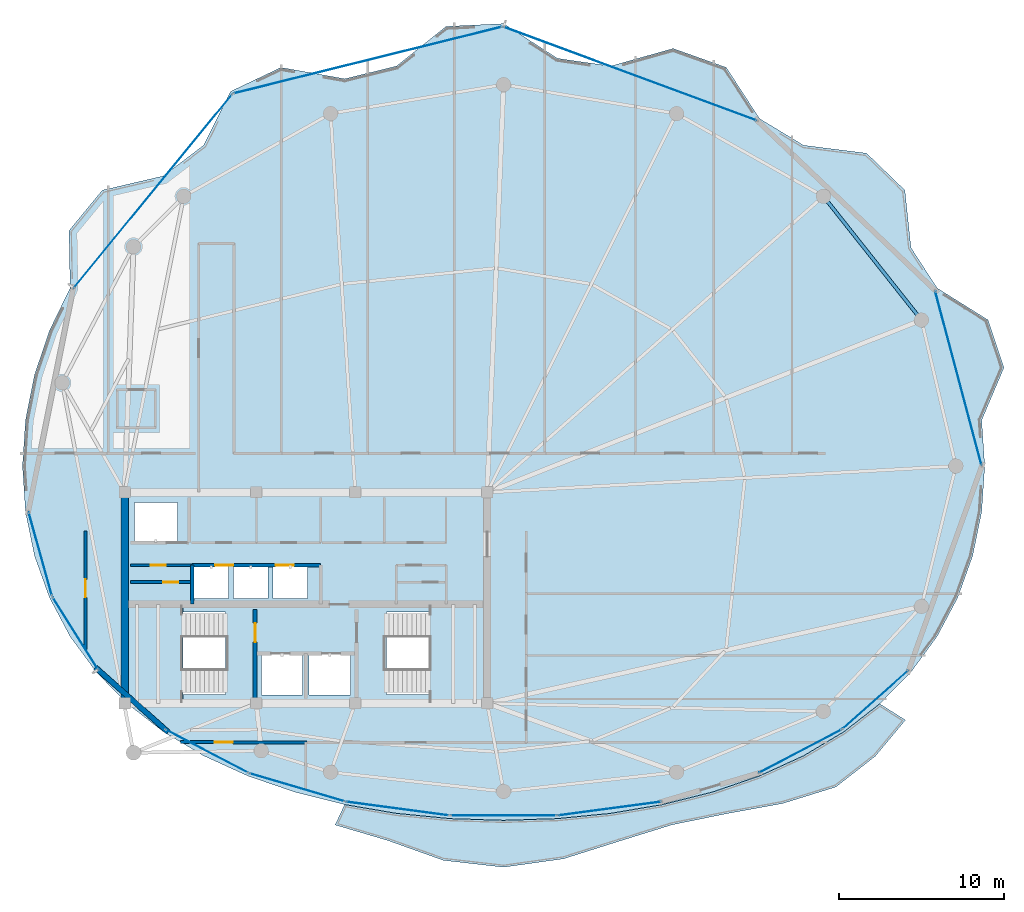
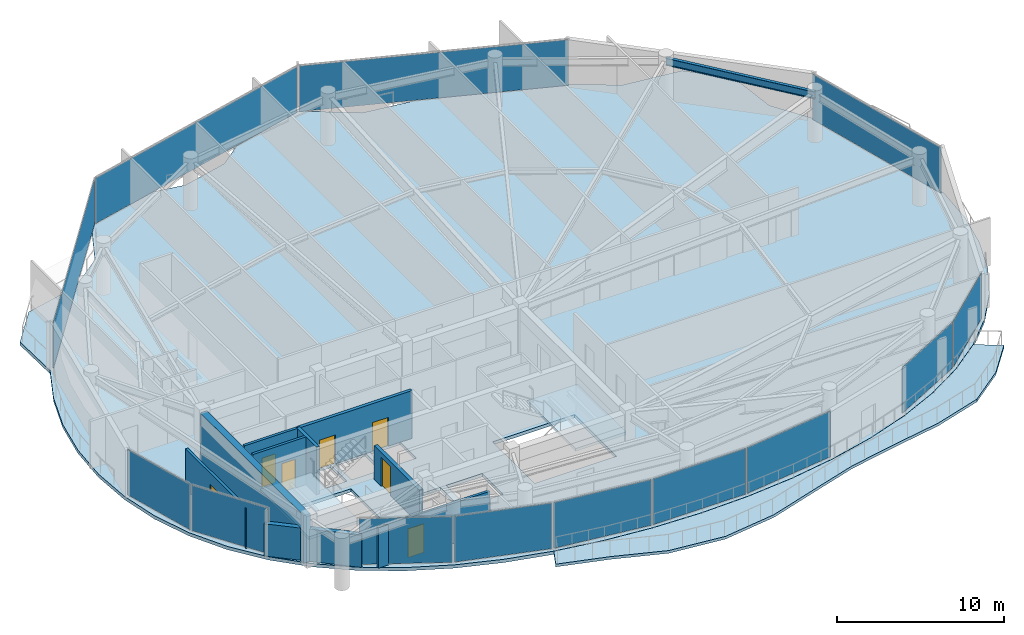
# One storey, part 23 of 29: 13 plates, 9 walls, 7 doors, 4 slabs, 1 beam, 7 openings, 15 elements without a shape of their own.
"""IFC4 building model written with IfcOpenShell, lengths in metres."""

from ifc_helpers import new_model, si_unit, direction, frame, frame_2d, origin, origin_2d, place, context, subcontext, project, spatial, polyline, rectangle, i_section, outline, extrude, material, layer, layer_set, material_profile, profile_set, type_object, element, fill, aggregate, save


model = new_model("IFC4")

# Units and contexts
model_context = context("Model", 3, precision=1e-05, world=origin(), true_north=direction((0.0, 1.0)))
body_context = subcontext(model_context, "Body", "Model", "MODEL_VIEW")
ifc_project = project(units=[si_unit("LENGTHUNIT", "METRE"), si_unit("AREAUNIT", "SQUARE_METRE"), si_unit("VOLUMEUNIT", "CUBIC_METRE"), si_unit("PLANEANGLEUNIT", "RADIAN"), si_unit("MASSUNIT", "GRAM", prefix="KILO")], contexts=[model_context])

# Site, building, storey
site_placement = place(None, origin())
site = spatial("IfcSite", under=ifc_project, at=site_placement, CompositionType="ELEMENT")
building_placement = place(site_placement, origin())
building = spatial("IfcBuilding", under=site, at=building_placement, Name="Kazevale Care Tower and Concert Hall", CompositionType="ELEMENT")
storey_placement = place(building_placement, frame((0.0, 0.0, 289.0)))
storey = spatial("IfcBuildingStorey", under=building, at=storey_placement, Name="L76", CompositionType="ELEMENT", Elevation=289.0)

# Beam
ifc_material_1 = material(Name="Steel ASTM A572 Gr 50", Category="steel")
ifc_material_profile = material_profile(ifc_material_1, i_section(OverallWidth=0.208984375, OverallDepth=0.532958984375, WebThickness=0.01025390625, FlangeThickness=0.015625, at=origin_2d()), Name="W530x92")
ifc_profile_set = profile_set([ifc_material_profile], Name="Steel ASTM A572 Gr 50")
beam_type = type_object("IfcBeamType", Name="Upper Ring Beam W530x92", PredefinedType="BEAM", material=ifc_profile_set)
beam_placement = place(storey_placement, frame((70.360107421875, 46.860107421875, 3.21337890625), z_axis=(-0.621008988522, 0.783803442308, 0.0), x_axis=(-0.783803442308, -0.621008988522, 0.0)))
element("IfcBeam", 1, at=beam_placement, inside=storey, type_object=beam_type, Name="beam:L76:ring:02", PredefinedType="BEAM", context=body_context, shape_type="SweptSolid", body=[
    extrude(i_section(OverallWidth=0.208984375, OverallDepth=0.532958984375, WebThickness=0.01025390625, FlangeThickness=0.015625, at=origin_2d()), origin(), (0.0, 0.0, 1.0), 9.58154296875),
])

# Curtain wall, plate
ifc_material_2 = material(Name="Aluminium 6063-T6 and Low-E Glass", Category="aluminium")
ifc_layer_1 = layer(ifc_material_2, 0.179931640625)
ifc_layer_set_1 = layer_set([ifc_layer_1], Name="Aluminium 6063-T6 and Low-E Glass")
curtain_wall_type_1 = type_object("IfcCurtainWallType", Name="Convex Checkerboard Finned Curtain Wall CW-2", PredefinedType="NOTDEFINED", material=ifc_layer_set_1)
curtain_wall_1_placement = place(storey_placement, origin())
curtain_wall_1 = element("IfcCurtainWall", 2, at=curtain_wall_1_placement, inside=storey, type_object=curtain_wall_type_1, Name="cw:L76:f14", PredefinedType="NOTDEFINED")
ifc_material_3 = material(Name="Low-E Laminated Glass", Category="glass")
ifc_layer_2 = layer(ifc_material_3, 0.028076171875)
ifc_layer_set_2 = layer_set([ifc_layer_2], Name="Low-E Laminated Glass")
plate_type_1 = type_object("IfcPlateType", Name="CW-2 Low-E Glazing Panel 28mm", PredefinedType="CURTAIN_PANEL", material=ifc_layer_set_2)
plate_1_placement = place(storey_placement, frame((23.717041015625, 54.681396484375, 0.074951171875), z_axis=(0.0, 0.0, 1.0), x_axis=(0.63342647463, 0.773802882676, 0.0)))
plate_1 = element("IfcPlate", 3, at=plate_1_placement, type_object=plate_type_1, Name="CW-2 panel 1.1", PredefinedType="CURTAIN_PANEL", context=body_context, shape_type="SweptSolid", body=[
    extrude(rectangle(XDim=15.134521484375, YDim=0.028076171875, at=origin_2d()), origin(), (0.0, 0.0, 1.0), 3.330078125),
])
aggregate(curtain_wall_1, [plate_1])

curtain_wall_2_placement = place(storey_placement, origin())
curtain_wall_2 = element("IfcCurtainWall", 4, at=curtain_wall_2_placement, inside=storey, type_object=curtain_wall_type_1, Name="cw:L76:f16", PredefinedType="NOTDEFINED")
plate_2_placement = place(storey_placement, frame((52.678955078125, 61.80908203125, 0.074951171875), z_axis=(0.0, 0.0, 1.0), x_axis=(0.937915548844, -0.346863695471, 0.0)))
plate_2 = element("IfcPlate", 5, at=plate_2_placement, type_object=plate_type_1, Name="CW-2 panel 1.1", PredefinedType="CURTAIN_PANEL", context=body_context, shape_type="SweptSolid", body=[
    extrude(rectangle(XDim=16.319091796875, YDim=0.028076171875, at=origin_2d()), origin(), (0.0, 0.0, 1.0), 3.330078125),
])
aggregate(curtain_wall_2, [plate_2])

ifc_layer_3 = layer(ifc_material_2, 0.179931640625)
ifc_layer_set_3 = layer_set([ifc_layer_3], Name="Aluminium 6063-T6 and Low-E Glass")
curtain_wall_type_2 = type_object("IfcCurtainWallType", Name="Waist & Upper Residential Curtain Wall CW-4", PredefinedType="NOTDEFINED", material=ifc_layer_set_3)
curtain_wall_3_placement = place(storey_placement, origin())
curtain_wall_3 = element("IfcCurtainWall", 6, at=curtain_wall_3_placement, inside=storey, type_object=curtain_wall_type_2, Name="cw:L76:f11", PredefinedType="NOTDEFINED")
ifc_layer_4 = layer(ifc_material_3, 0.030029296875)
ifc_layer_set_4 = layer_set([ifc_layer_4], Name="Low-E Laminated Glass")
plate_type_2 = type_object("IfcPlateType", Name="CW-4 Low-E Glazing Panel 30mm", PredefinedType="CURTAIN_PANEL", material=ifc_layer_set_4)
plate_3_placement = place(storey_placement, frame((19.008544921875, 27.85205078125, 0.080078125), z_axis=(0.0, 0.0, 1.0), x_axis=(-0.532074560711, 0.846697503152, 0.0)))
plate_3 = element("IfcPlate", 7, at=plate_3_placement, type_object=plate_type_2, Name="CW-4 panel 1.1", PredefinedType="CURTAIN_PANEL", context=body_context, shape_type="SweptSolid", body=[
    extrude(rectangle(XDim=5.119384765625, YDim=0.030029296875, at=origin_2d()), origin(), (0.0, 0.0, 1.0), 3.320068359375),
])
aggregate(curtain_wall_3, [plate_3])

curtain_wall_4_placement = place(storey_placement, origin())
curtain_wall_4 = element("IfcCurtainWall", 8, at=curtain_wall_4_placement, inside=storey, type_object=curtain_wall_type_2, Name="cw:L76:f12", PredefinedType="NOTDEFINED")
plate_4_placement = place(storey_placement, frame((16.883056640625, 32.67041015625, 0.080078125), z_axis=(0.0, 0.0, 1.0), x_axis=(-0.268807011704, 0.963194056491, 0.0)))
plate_4 = element("IfcPlate", 9, at=plate_4_placement, type_object=plate_type_2, Name="CW-4 panel 1.1", PredefinedType="CURTAIN_PANEL", context=body_context, shape_type="SweptSolid", body=[
    extrude(rectangle(XDim=5.204345703125, YDim=0.030029296875, at=origin_2d()), origin(), (0.0, 0.0, 1.0), 3.320068359375),
])
aggregate(curtain_wall_4, [plate_4])

curtain_wall_5_placement = place(storey_placement, origin())
curtain_wall_5 = element("IfcCurtainWall", 10, at=curtain_wall_5_placement, inside=storey, type_object=curtain_wall_type_2, Name="cw:L76:f15", PredefinedType="NOTDEFINED")
plate_5_placement = place(storey_placement, frame((36.756103515625, 62.633056640625, 0.080078125), z_axis=(0.0, 0.0, 1.0), x_axis=(0.970552136495, 0.240891158711, 0.0)))
plate_5 = element("IfcPlate", 11, at=plate_5_placement, type_object=plate_type_2, Name="CW-4 panel 1.1", PredefinedType="CURTAIN_PANEL", context=body_context, shape_type="SweptSolid", body=[
    extrude(rectangle(XDim=16.727294921875, YDim=0.030029296875, at=origin_2d()), origin(), (0.0, 0.0, 1.0), 3.320068359375),
])
aggregate(curtain_wall_5, [plate_5])

curtain_wall_6_placement = place(storey_placement, origin())
curtain_wall_6 = element("IfcCurtainWall", 12, at=curtain_wall_6_placement, inside=storey, type_object=curtain_wall_type_2, Name="cw:L76:f18", PredefinedType="NOTDEFINED")
plate_6_placement = place(storey_placement, frame((72.599609375, 43.3359375, 0.080078125), z_axis=(0.0, 0.0, 1.0), x_axis=(0.257251209214, -0.966344563475, 0.0)))
plate_6 = element("IfcPlate", 13, at=plate_6_placement, type_object=plate_type_2, Name="CW-4 panel 1.1", PredefinedType="CURTAIN_PANEL", context=body_context, shape_type="SweptSolid", body=[
    extrude(rectangle(XDim=10.8837890625, YDim=0.030029296875, at=origin_2d()), origin(), (0.0, 0.0, 1.0), 3.320068359375),
])
aggregate(curtain_wall_6, [plate_6])

ifc_layer_5 = layer(ifc_material_2, 0.179931640625)
ifc_layer_set_5 = layer_set([ifc_layer_5], Name="Aluminium 6063-T6 and Low-E Glass")
curtain_wall_type_3 = type_object("IfcCurtainWallType", Name="Sheltered Concave Balcony Curtain Wall CW-5", PredefinedType="NOTDEFINED", material=ifc_layer_set_5)
curtain_wall_7_placement = place(storey_placement, origin())
curtain_wall_7 = element("IfcCurtainWall", 14, at=curtain_wall_7_placement, inside=storey, type_object=curtain_wall_type_3, Name="cw:L76:f02", PredefinedType="NOTDEFINED")
ifc_layer_6 = layer(ifc_material_3, 0.02587890625)
ifc_layer_set_6 = layer_set([ifc_layer_6], Name="Low-E Laminated Glass")
plate_type_3 = type_object("IfcPlateType", Name="CW-5 Low-E Glazing Panel 26mm", PredefinedType="CURTAIN_PANEL", material=ifc_layer_set_6)
plate_7_placement = place(storey_placement, frame((67.56640625, 23.819580078125, 0.074951171875), z_axis=(0.0, 0.0, 1.0), x_axis=(-0.747133834563, -0.664673629123, 0.0)))
plate_7 = element("IfcPlate", 15, at=plate_7_placement, type_object=plate_type_3, Name="CW-5 panel 1.1", PredefinedType="CURTAIN_PANEL", context=body_context, shape_type="SweptSolid", body=[
    extrude(rectangle(XDim=5.2587890625, YDim=0.02587890625, at=origin_2d()), origin(), (0.0, 0.0, 1.0), 3.330078125),
])
aggregate(curtain_wall_7, [plate_7])

curtain_wall_8_placement = place(storey_placement, origin())
curtain_wall_8 = element("IfcCurtainWall", 16, at=curtain_wall_8_placement, inside=storey, type_object=curtain_wall_type_3, Name="cw:L76:f03", PredefinedType="NOTDEFINED")
plate_8_placement = place(storey_placement, frame((63.007568359375, 20.693603515625, 0.074951171875), z_axis=(0.0, 0.0, 1.0), x_axis=(-0.886002261972, -0.463680915912, 0.0)))
plate_8 = element("IfcPlate", 17, at=plate_8_placement, type_object=plate_type_3, Name="CW-5 panel 1.1", PredefinedType="CURTAIN_PANEL", context=body_context, shape_type="SweptSolid", body=[
    extrude(rectangle(XDim=5.580322265625, YDim=0.02587890625, at=origin_2d()), origin(), (0.0, 0.0, 1.0), 3.330078125),
])
aggregate(curtain_wall_8, [plate_8])

curtain_wall_9_placement = place(storey_placement, origin())
curtain_wall_9 = element("IfcCurtainWall", 18, at=curtain_wall_9_placement, inside=storey, type_object=curtain_wall_type_3, Name="cw:L76:f05", PredefinedType="NOTDEFINED")
plate_9_placement = place(storey_placement, frame((51.4326171875, 17.20947265625, 0.074951171875), z_axis=(0.0, 0.0, 1.0), x_axis=(-0.991177380664, -0.132542069018, 0.0)))
plate_9 = element("IfcPlate", 19, at=plate_9_placement, type_object=plate_type_3, Name="CW-5 panel 1.1", PredefinedType="CURTAIN_PANEL", context=body_context, shape_type="SweptSolid", body=[
    extrude(rectangle(XDim=6.255615234375, YDim=0.02587890625, at=origin_2d()), origin(), (0.0, 0.0, 1.0), 3.330078125),
])
aggregate(curtain_wall_9, [plate_9])

curtain_wall_10_placement = place(storey_placement, origin())
curtain_wall_10 = element("IfcCurtainWall", 20, at=curtain_wall_10_placement, inside=storey, type_object=curtain_wall_type_3, Name="cw:L76:f06", PredefinedType="NOTDEFINED")
plate_10_placement = place(storey_placement, frame((45.0, 16.784912109375, 0.074951171875), z_axis=(0.0, 0.0, 1.0), x_axis=(-1.0, 0.0, 0.0)))
plate_10 = element("IfcPlate", 21, at=plate_10_placement, type_object=plate_type_3, Name="CW-5 panel 1.1", PredefinedType="CURTAIN_PANEL", context=body_context, shape_type="SweptSolid", body=[
    extrude(rectangle(XDim=6.365966796875, YDim=0.02587890625, at=origin_2d()), origin(), (0.0, 0.0, 1.0), 3.330078125),
])
aggregate(curtain_wall_10, [plate_10])

curtain_wall_11_placement = place(storey_placement, origin())
curtain_wall_11 = element("IfcCurtainWall", 22, at=curtain_wall_11_placement, inside=storey, type_object=curtain_wall_type_3, Name="cw:L76:f07", PredefinedType="NOTDEFINED")
plate_11_placement = place(storey_placement, frame((38.5673828125, 17.20947265625, 0.074951171875), z_axis=(0.0, 0.0, 1.0), x_axis=(-0.991177380664, 0.132542069018, 0.0)))
plate_11 = element("IfcPlate", 23, at=plate_11_placement, type_object=plate_type_3, Name="CW-5 panel 1.1", PredefinedType="CURTAIN_PANEL", context=body_context, shape_type="SweptSolid", body=[
    extrude(rectangle(XDim=6.255615234375, YDim=0.02587890625, at=origin_2d()), origin(), (0.0, 0.0, 1.0), 3.330078125),
])
aggregate(curtain_wall_11, [plate_11])

curtain_wall_12_placement = place(storey_placement, origin())
curtain_wall_12 = element("IfcCurtainWall", 24, at=curtain_wall_12_placement, inside=storey, type_object=curtain_wall_type_3, Name="cw:L76:f08", PredefinedType="NOTDEFINED")
plate_12_placement = place(storey_placement, frame((32.4619140625, 18.49951171875, 0.074951171875), z_axis=(0.0, 0.0, 1.0), x_axis=(-0.959060133902, 0.283202506274, 0.0)))
plate_12 = element("IfcPlate", 25, at=plate_12_placement, type_object=plate_type_3, Name="CW-5 panel 1.1", PredefinedType="CURTAIN_PANEL", context=body_context, shape_type="SweptSolid", body=[
    extrude(rectangle(XDim=5.962158203125, YDim=0.02587890625, at=origin_2d()), origin(), (0.0, 0.0, 1.0), 3.330078125),
])
aggregate(curtain_wall_12, [plate_12])

curtain_wall_13_placement = place(storey_placement, origin())
curtain_wall_13 = element("IfcCurtainWall", 26, at=curtain_wall_13_placement, inside=storey, type_object=curtain_wall_type_3, Name="cw:L76:f09", PredefinedType="NOTDEFINED")
plate_13_placement = place(storey_placement, frame((26.992431640625, 20.693603515625, 0.074951171875), z_axis=(0.0, 0.0, 1.0), x_axis=(-0.886002261972, 0.463680915912, 0.0)))
plate_13 = element("IfcPlate", 27, at=plate_13_placement, type_object=plate_type_3, Name="CW-5 panel 1.1", PredefinedType="CURTAIN_PANEL", context=body_context, shape_type="SweptSolid", body=[
    extrude(rectangle(XDim=5.580322265625, YDim=0.02587890625, at=origin_2d()), origin(), (0.0, 0.0, 1.0), 3.330078125),
])
aggregate(curtain_wall_13, [plate_13])

# Slab
ifc_material_4 = material(Name="Concrete C40", Category="concrete")
ifc_layer_7 = layer(ifc_material_4, 0.199951171875)
ifc_layer_set_7 = layer_set([ifc_layer_7], Name="Concrete C40")
slab_type_1 = type_object("IfcSlabType", Name="Sinusoidal Concave Balcony Slab 200", PredefinedType="USERDEFINED", material=ifc_layer_set_7)
slab_1_placement = place(storey_placement, frame((0.0, 0.0, -0.199951171875)))
element("IfcSlab", 28, at=slab_1_placement, inside=storey, type_object=slab_type_1, Name="slab:L76:bal", ObjectType="BALCONY", PredefinedType="USERDEFINED", context=body_context, shape_type="SweptSolid", body=[
    extrude(outline(polyline([(69.386962890625, 22.584716796875), (67.553466796875, 20.384521484375), (65.166259765625, 18.522216796875), (61.92431640625, 17.515869140625), (58.51220703125, 16.89697265625), (55.221923828125, 16.226318359375), (52.01904296875, 15.231689453125), (48.642578125, 14.164306640625), (45.0, 13.652099609375), (41.343017578125, 14.06982421875), (37.9921875, 15.26806640625), (34.775146484375, 16.22021484375), (35.353759765625, 17.45263671875), (35.35498046875, 17.452392578125), (38.501708984375, 16.918212890625), (41.730224609375, 16.6005859375), (45.0, 16.4951171875), (48.269775390625, 16.6005859375), (51.498291015625, 16.918212890625), (54.64501953125, 17.452392578125), (57.6708984375, 18.208251953125), (60.537109375, 19.192626953125), (63.208251953125, 20.411376953125), (65.650390625, 21.868896484375), (67.832763671875, 23.5654296875), (67.833740234375, 23.56640625), (69.386962890625, 22.584716796875)])), origin(), (0.0, 0.0, 1.0), 0.199951171875),
])

# Stair, slab
stair_type = type_object("IfcStairType", Name="Exit Stair Assembly ST1-U", PredefinedType="HALF_TURN_STAIR", material=ifc_material_4)
stair_1_placement = place(storey_placement, origin())
stair_1 = element("IfcStair", 29, at=stair_1_placement, inside=storey, type_object=stair_type, Name="stair:L76:ST1", PredefinedType="HALF_TURN_STAIR")
ifc_layer_8 = layer(ifc_material_4, 0.199951171875)
ifc_layer_set_8 = layer_set([ifc_layer_8], Name="Concrete C40")
slab_type_2 = type_object("IfcSlabType", Name="Stair Half-Landing Slab ST1-U", PredefinedType="LANDING", material=ifc_layer_set_8)
slab_2_placement = place(storey_placement, frame((0.0, 0.0, 1.699951171875)))
slab_2 = element("IfcSlab", 30, at=slab_2_placement, type_object=slab_type_2, Name="ST1-U landing 1", PredefinedType="LANDING", context=body_context, shape_type="SweptSolid", body=[
    extrude(outline(polyline([(22.050048828125, 23.699951171875), (25.530029296875, 23.699951171875), (25.530029296875, 29.5), (22.050048828125, 29.5), (22.050048828125, 23.699951171875)])), origin(), (0.0, 0.0, 1.0), 0.199951171875),
])
aggregate(stair_1, [slab_2])

stair_2_placement = place(storey_placement, origin())
stair_2 = element("IfcStair", 31, at=stair_2_placement, inside=storey, type_object=stair_type, Name="stair:L76:ST2", PredefinedType="HALF_TURN_STAIR")
slab_3_placement = place(storey_placement, frame((0.0, 0.0, 1.699951171875)))
slab_3 = element("IfcSlab", 32, at=slab_3_placement, type_object=slab_type_2, Name="ST1-U landing 1", PredefinedType="LANDING", context=body_context, shape_type="SweptSolid", body=[
    extrude(outline(polyline([(40.469970703125, 23.699951171875), (43.949951171875, 23.699951171875), (43.949951171875, 29.5), (40.469970703125, 29.5), (40.469970703125, 23.699951171875)])), origin(), (0.0, 0.0, 1.0), 0.199951171875),
])
aggregate(stair_2, [slab_3])

# Slab
ifc_layer_9 = layer(ifc_material_4, 0.239990234375)
ifc_layer_set_9 = layer_set([ifc_layer_9], Name="Concrete C40")
slab_type_3 = type_object("IfcSlabType", Name="Tower Typical Floor Slab 240", PredefinedType="FLOOR", material=ifc_layer_set_9)
slab_4_placement = place(storey_placement, frame((0.0, 0.0, -0.239990234375)))
element("IfcSlab", 33, at=slab_4_placement, inside=storey, type_object=slab_type_3, Name="slab:L76:tw:1", PredefinedType="FLOOR", context=body_context, shape_type="SweptSolid", body=[
    extrude(outline(polyline([(74.199951171875, 38.0), (74.016357421875, 40.787841796875), (75.368896484375, 43.974609375), (74.402099609375, 46.867919921875), (71.308349609375, 48.8037109375), (69.724365234375, 51.24755859375), (69.35400390625, 54.74072265625), (67.0263671875, 56.98583984375), (63.205810546875, 57.467529296875), (60.535400390625, 59.08349609375), (58.515380859375, 62.19091796875), (55.2880859375, 63.34326171875), (51.49755859375, 62.275634765625), (48.269287109375, 62.743408203125), (45.0, 64.85009765625), (41.51220703125, 64.68115234375), (38.50244140625, 62.275634765625), (35.35595703125, 61.502685546875), (31.484619140625, 62.19091796875), (28.42724609375, 60.734619140625), (26.794189453125, 57.467529296875), (24.3525390625, 55.60693359375), (20.64599609375, 54.74072265625), (18.62451171875, 52.28515625), (18.691650390625, 48.8037109375), (17.438720703125, 46.223876953125), (16.531982421875, 43.540771484375), (15.983642578125, 40.787841796875), (15.800048828125, 38.0), (15.983642578125, 35.229736328125), (16.531982421875, 32.551513671875), (17.438720703125, 30.01416015625), (18.691650390625, 27.654541015625), (20.275634765625, 25.5), (22.17041015625, 23.569091796875), (24.3525390625, 21.873046875), (26.794189453125, 20.415771484375), (29.464599609375, 19.197265625), (32.33056640625, 18.212890625), (35.35595703125, 17.457275390625), (38.50244140625, 16.92333984375), (41.730712890625, 16.60546875), (45.0, 16.5), (48.269287109375, 16.60546875), (51.49755859375, 16.92333984375), (54.64404296875, 17.457275390625), (57.66943359375, 18.212890625), (60.535400390625, 19.197265625), (63.205810546875, 20.415771484375), (65.6474609375, 21.873046875), (67.82958984375, 23.569091796875), (69.724365234375, 25.5), (71.308349609375, 27.654541015625), (72.561279296875, 30.01416015625), (73.468017578125, 32.551513671875), (74.016357421875, 35.229736328125), (74.199951171875, 38.0)]), holes=[polyline([(22.449951171875, 24.14990234375), (28.110107421875, 24.14990234375), (28.110107421875, 29.14990234375), (22.449951171875, 29.14990234375), (22.449951171875, 24.14990234375)]), polyline([(37.889892578125, 24.14990234375), (43.550048828125, 24.14990234375), (43.550048828125, 29.14990234375), (37.889892578125, 29.14990234375), (37.889892578125, 24.14990234375)]), polyline([(30.300048828125, 24.10009765625), (32.800048828125, 24.10009765625), (32.800048828125, 26.60009765625), (30.300048828125, 26.60009765625), (30.300048828125, 24.10009765625)]), polyline([(33.199951171875, 24.10009765625), (35.699951171875, 24.10009765625), (35.699951171875, 26.60009765625), (33.199951171875, 26.60009765625), (33.199951171875, 24.10009765625)]), polyline([(22.60009765625, 33.39990234375), (25.199951171875, 33.39990234375), (25.199951171875, 35.800048828125), (22.60009765625, 35.800048828125), (22.60009765625, 33.39990234375)]), polyline([(26.199951171875, 29.949951171875), (28.300048828125, 29.949951171875), (28.300048828125, 31.949951171875), (26.199951171875, 31.949951171875), (26.199951171875, 29.949951171875)]), polyline([(28.60009765625, 29.949951171875), (30.699951171875, 29.949951171875), (30.699951171875, 31.949951171875), (28.60009765625, 31.949951171875), (28.60009765625, 29.949951171875)]), polyline([(31.0, 29.949951171875), (33.10009765625, 29.949951171875), (33.10009765625, 31.949951171875), (31.0, 31.949951171875), (31.0, 29.949951171875)])]), origin(), (0.0, 0.0, 1.0), 0.239990234375),
])

# Walls
ifc_material_5 = material(Name="Concrete C50", Category="concrete")
ifc_layer_10 = layer(ifc_material_5, 0.449951171875)
ifc_layer_set_10 = layer_set([ifc_layer_10], Name="Concrete C50")
wall_type_1 = type_object("IfcWallType", Name="Core Shear Wall 450 C50", PredefinedType="SHEAR", material=ifc_layer_set_10)
wall_1_placement = place(storey_placement, frame((22.0, 23.824951171875, 0.0), z_axis=(0.0, 0.0, 1.0), x_axis=(0.0, 1.0, 0.0)))
element("IfcWall", 34, at=wall_1_placement, inside=storey, type_object=wall_type_1, Name="wall:L76:core:W", PredefinedType="SHEAR", context=body_context, shape_type="SweptSolid", body=[
    extrude(rectangle(XDim=12.35009765625, YDim=0.449951171875, at=frame_2d((6.175048828125, 0.0))), origin(), (0.0, 0.0, 1.0), 3.47998046875),
])
ifc_layer_11 = layer(ifc_material_4, 0.219970703125)
ifc_layer_set_11 = layer_set([ifc_layer_11], Name="Concrete C40")
wall_type_2 = type_object("IfcWallType", Name="Elevator Hoistway Shaft Wall 220", PredefinedType="SOLIDWALL", material=ifc_layer_set_11)
wall_2_placement = place(storey_placement, frame((26.10009765625, 29.6201171875, 0.0), z_axis=(0.0, 0.0, 1.0), x_axis=(0.0, 1.0, 0.0)))
element("IfcWall", 35, at=wall_2_placement, inside=storey, type_object=wall_type_2, Name="wall:L76:c_ph_w", PredefinedType="SOLIDWALL", context=body_context, shape_type="SweptSolid", body=[
    extrude(rectangle(XDim=2.35986328125, YDim=0.219970703125, at=frame_2d((1.179931640625, 0.0))), origin(), (0.0, 0.0, 1.0), 3.47998046875),
])

# Wall, openings, doors
wall_3_placement = place(storey_placement, frame((26.10009765625, 31.97998046875, 0.0), z_axis=(0.0, 0.0, 1.0), x_axis=(1.0, 0.0, 0.0)))
wall_3 = element("IfcWall", 36, at=wall_3_placement, inside=storey, type_object=wall_type_2, Name="wall:L76:c_ph_n", PredefinedType="SOLIDWALL", context=body_context, shape_type="SweptSolid", body=[
    extrude(rectangle(XDim=7.7998046875, YDim=0.219970703125, at=frame_2d((3.89990234375, 0.0))), origin(), (0.0, 0.0, 1.0), 3.47998046875),
])
opening_1_placement = place(wall_3_placement, frame((1.39990234375, 0.0, 0.0)))
opening_1 = element("IfcOpeningElement", 37, at=opening_1_placement, cuts=wall_3, Name="Opening LD-PAX", PredefinedType="OPENING", context=body_context, shape_type="SweptSolid", body=[
    extrude(rectangle(XDim=1.10009765625, YDim=2.10009765625, at=frame_2d((0.550048828125, 1.050048828125))), frame((0.0, 0.119873046875, 0.0), z_axis=(0.0, -1.0, 0.0), x_axis=(1.0, 0.0, 0.0)), (0.0, 0.0, 1.0), 0.239990234375),
])
opening_2_placement = place(wall_3_placement, frame((5.06591796875, 0.0, 0.0)))
opening_2 = element("IfcOpeningElement", 38, at=opening_2_placement, cuts=wall_3, Name="Opening LD-PAX", PredefinedType="OPENING", context=body_context, shape_type="SweptSolid", body=[
    extrude(rectangle(XDim=1.10009765625, YDim=2.10009765625, at=frame_2d((0.550048828125, 1.050048828125))), frame((0.0, 0.119873046875, 0.0), z_axis=(0.0, -1.0, 0.0), x_axis=(1.0, 0.0, 0.0)), (0.0, 0.0, 1.0), 0.239990234375),
])
ifc_material_6 = material(Name="Stainless Steel 316", Category="steel")
door_type_1 = type_object("IfcDoorType", Name="Passenger Lift Sliding Landing Door 1100x2100", OperationType="NOTDEFINED", PredefinedType="DOOR", material=ifc_material_6)
door_1_placement = place(opening_1_placement, origin())
door_1 = element("IfcDoor", 39, at=door_1_placement, inside=storey, type_object=door_type_1, Name="door:L76:ld_ph1", OperationType="SLIDING_TO_LEFT", OverallHeight=2.10009765625, OverallWidth=1.10009765625, PredefinedType="DOOR", context=body_context, shape_type="SweptSolid", body=[
    extrude(rectangle(XDim=1.10009765625, YDim=2.10009765625, at=frame_2d((0.550048828125, 1.050048828125))), frame((0.0, 0.02490234375, 0.0), z_axis=(0.0, -1.0, 0.0), x_axis=(1.0, 0.0, 0.0)), (0.0, 0.0, 1.0), 0.050048828125),
])
fill(opening_1, door_1)
door_2_placement = place(opening_2_placement, origin())
door_2 = element("IfcDoor", 40, at=door_2_placement, inside=storey, type_object=door_type_1, Name="door:L76:ld_ph2", OperationType="SLIDING_TO_RIGHT", OverallHeight=2.10009765625, OverallWidth=1.10009765625, PredefinedType="DOOR", context=body_context, shape_type="SweptSolid", body=[
    extrude(rectangle(XDim=1.10009765625, YDim=2.10009765625, at=frame_2d((0.550048828125, 1.050048828125))), frame((0.0, 0.02490234375, 0.0), z_axis=(0.0, -1.0, 0.0), x_axis=(1.0, 0.0, 0.0)), (0.0, 0.0, 1.0), 0.050048828125),
])
fill(opening_2, door_2)

# Wall, opening, door
ifc_material_7 = material(Name="Concrete C40 and Acoustic Gypsum", Category="concrete")
ifc_layer_12 = layer(ifc_material_7, 0.179931640625)
ifc_layer_set_12 = layer_set([ifc_layer_12], Name="Concrete C40 and Acoustic Gypsum")
wall_type_3 = type_object("IfcWallType", Name="Fire-Rated Corridor & Party Wall 180", PredefinedType="PARTITIONING", material=ifc_layer_set_12)
wall_4_placement = place(storey_placement, frame((22.35009765625, 30.949951171875, 0.0), z_axis=(0.0, 0.0, 1.0), x_axis=(1.0, 0.0, 0.0)))
wall_4 = element("IfcWall", 41, at=wall_4_placement, inside=storey, type_object=wall_type_3, Name="wall:L76:kc_wm", PredefinedType="PARTITIONING", context=body_context, shape_type="SweptSolid", body=[
    extrude(rectangle(XDim=3.75, YDim=0.179931640625, at=frame_2d((1.875, 0.0))), origin(), (0.0, 0.0, 1.0), 3.47998046875),
])
opening_3_placement = place(wall_4_placement, frame((1.988037109375, 0.0, 0.0)))
opening_3 = element("IfcOpeningElement", 42, at=opening_3_placement, cuts=wall_4, Name="Opening ID-900", PredefinedType="OPENING", context=body_context, shape_type="SweptSolid", body=[
    extrude(rectangle(XDim=0.919921875, YDim=2.10009765625, at=frame_2d((0.4599609375, 1.050048828125))), frame((0.0, 0.099853515625, 0.0), z_axis=(0.0, -1.0, 0.0), x_axis=(1.0, 0.0, 0.0)), (0.0, 0.0, 1.0), 0.199951171875),
])
ifc_material_8 = material(Name="Oak Timber Fire Leaf", Category="wood")
door_type_2 = type_object("IfcDoorType", Name="Bathroom & Service Door 920x2100", OperationType="NOTDEFINED", PredefinedType="DOOR", material=ifc_material_8)
door_3_placement = place(opening_3_placement, origin())
door_3 = element("IfcDoor", 43, at=door_3_placement, inside=storey, type_object=door_type_2, Name="door:L76:d_kcwb", OperationType="SINGLE_SWING_RIGHT", OverallHeight=2.10009765625, OverallWidth=0.919921875, PredefinedType="DOOR", context=body_context, shape_type="SweptSolid", body=[
    extrude(rectangle(XDim=0.919921875, YDim=2.10009765625, at=frame_2d((0.4599609375, 1.050048828125))), frame((0.0, 0.02490234375, 0.0), z_axis=(0.0, -1.0, 0.0), x_axis=(1.0, 0.0, 0.0)), (0.0, 0.0, 1.0), 0.050048828125),
])
fill(opening_3, door_3)

wall_5_placement = place(storey_placement, frame((22.35009765625, 31.97998046875, 0.0), z_axis=(0.0, 0.0, 1.0), x_axis=(1.0, 0.0, 0.0)))
wall_5 = element("IfcWall", 44, at=wall_5_placement, inside=storey, type_object=wall_type_3, Name="wall:L76:kc_wn", PredefinedType="PARTITIONING", context=body_context, shape_type="SweptSolid", body=[
    extrude(rectangle(XDim=3.75, YDim=0.179931640625, at=frame_2d((1.875, 0.0))), origin(), (0.0, 0.0, 1.0), 3.47998046875),
])
opening_4_placement = place(wall_5_placement, frame((1.238037109375, 0.0, 0.0)))
opening_4 = element("IfcOpeningElement", 45, at=opening_4_placement, cuts=wall_5, Name="Opening ID-900", PredefinedType="OPENING", context=body_context, shape_type="SweptSolid", body=[
    extrude(rectangle(XDim=0.919921875, YDim=2.10009765625, at=frame_2d((0.4599609375, 1.050048828125))), frame((0.0, 0.099853515625, 0.0), z_axis=(0.0, -1.0, 0.0), x_axis=(1.0, 0.0, 0.0)), (0.0, 0.0, 1.0), 0.199951171875),
])
door_4_placement = place(opening_4_placement, origin())
door_4 = element("IfcDoor", 46, at=door_4_placement, inside=storey, type_object=door_type_2, Name="door:L76:d_kcwt", OperationType="SINGLE_SWING_LEFT", OverallHeight=2.10009765625, OverallWidth=0.919921875, PredefinedType="DOOR", context=body_context, shape_type="SweptSolid", body=[
    extrude(rectangle(XDim=0.919921875, YDim=2.10009765625, at=frame_2d((0.4599609375, 1.050048828125))), frame((0.0, 0.02490234375, 0.0), z_axis=(0.0, -1.0, 0.0), x_axis=(1.0, 0.0, 0.0)), (0.0, 0.0, 1.0), 0.050048828125),
])
fill(opening_4, door_4)

wall_6_placement = place(storey_placement, frame((33.06494140625, 21.22509765625, 0.0), z_axis=(0.0, 0.0, 1.0), x_axis=(-0.999997008942, 0.002445834753, 0.0)))
wall_6 = element("IfcWall", 47, at=wall_6_placement, inside=storey, type_object=wall_type_3, Name="wall:L76:auto_018", PredefinedType="PARTITIONING", context=body_context, shape_type="SweptSolid", body=[
    extrude(rectangle(XDim=7.68603515625, YDim=0.179931640625, at=frame_2d((3.843017578125, 0.0))), origin(), (0.0, 0.0, 1.0), 2.93701171875),
])
opening_5_placement = place(wall_6_placement, frame((4.492919921875, 0.0, 0.0)))
opening_5 = element("IfcOpeningElement", 48, at=opening_5_placement, cuts=wall_6, Name="Opening ID-1100", PredefinedType="OPENING", context=body_context, shape_type="SweptSolid", body=[
    extrude(rectangle(XDim=1.10009765625, YDim=2.10009765625, at=frame_2d((0.550048828125, 1.050048828125))), frame((0.0, 0.099853515625, 0.0), z_axis=(0.0, -1.0, 0.0), x_axis=(1.0, 0.0, 0.0)), (0.0, 0.0, 1.0), 0.199951171875),
])
door_type_3 = type_object("IfcDoorType", Name="Care Bedroom Accessible Door 1100x2100", OperationType="NOTDEFINED", PredefinedType="DOOR", material=ifc_material_8)
door_5_placement = place(opening_5_placement, origin())
door_5 = element("IfcDoor", 49, at=door_5_placement, inside=storey, type_object=door_type_3, Name="door:L76:ad_018", OperationType="SINGLE_SWING_LEFT", OverallHeight=2.10009765625, OverallWidth=1.10009765625, PredefinedType="DOOR", context=body_context, shape_type="SweptSolid", body=[
    extrude(rectangle(XDim=1.10009765625, YDim=2.10009765625, at=frame_2d((0.550048828125, 1.050048828125))), frame((0.0, 0.02490234375, 0.0), z_axis=(0.0, -1.0, 0.0), x_axis=(1.0, 0.0, 0.0)), (0.0, 0.0, 1.0), 0.050048828125),
])
fill(opening_5, door_5)

wall_7_placement = place(storey_placement, frame((19.625, 26.881103515625, 0.0), z_axis=(0.0, 0.0, 1.0), x_axis=(0.0, 1.0, 0.0)))
wall_7 = element("IfcWall", 50, at=wall_7_placement, inside=storey, type_object=wall_type_3, Name="wall:L76:auto_020", PredefinedType="PARTITIONING", context=body_context, shape_type="SweptSolid", body=[
    extrude(rectangle(XDim=7.183837890625, YDim=0.179931640625, at=frame_2d((3.591796875, 0.0))), origin(), (0.0, 0.0, 1.0), 2.93701171875),
])
opening_6_placement = place(wall_7_placement, frame((3.14404296875, 0.0, 0.0)))
opening_6 = element("IfcOpeningElement", 51, at=opening_6_placement, cuts=wall_7, Name="Opening ID-1100", PredefinedType="OPENING", context=body_context, shape_type="SweptSolid", body=[
    extrude(rectangle(XDim=1.10009765625, YDim=2.10009765625, at=frame_2d((0.550048828125, 1.050048828125))), frame((0.0, 0.099853515625, 0.0), z_axis=(0.0, -1.0, 0.0), x_axis=(1.0, 0.0, 0.0)), (0.0, 0.0, 1.0), 0.199951171875),
])
door_6_placement = place(opening_6_placement, origin())
door_6 = element("IfcDoor", 52, at=door_6_placement, inside=storey, type_object=door_type_3, Name="door:L76:ad_020", OperationType="SINGLE_SWING_LEFT", OverallHeight=2.10009765625, OverallWidth=1.10009765625, PredefinedType="DOOR", context=body_context, shape_type="SweptSolid", body=[
    extrude(rectangle(XDim=1.10009765625, YDim=2.10009765625, at=frame_2d((0.550048828125, 1.050048828125))), frame((0.0, 0.02490234375, 0.0), z_axis=(0.0, -1.0, 0.0), x_axis=(1.0, 0.0, 0.0)), (0.0, 0.0, 1.0), 0.050048828125),
])
fill(opening_6, door_6)

ifc_layer_13 = layer(ifc_material_4, 0.25)
ifc_layer_set_13 = layer_set([ifc_layer_13], Name="Concrete C40")
wall_type_4 = type_object("IfcWallType", Name="Pressurized Stair Shaft Wall 250", PredefinedType="SOLIDWALL", material=ifc_layer_set_13)
wall_8_placement = place(storey_placement, frame((29.919921875, 23.89990234375, 0.0), z_axis=(0.0, 0.0, 1.0), x_axis=(0.0, 1.0, 0.0)))
wall_8 = element("IfcWall", 53, at=wall_8_placement, inside=storey, type_object=wall_type_4, Name="wall:L76:c_st1_e", PredefinedType="SOLIDWALL", context=body_context, shape_type="SweptSolid", body=[
    extrude(rectangle(XDim=5.400146484375, YDim=0.25, at=frame_2d((2.7001953125, 0.0))), origin(), (0.0, 0.0, 1.0), 2.469970703125),
])
opening_7_placement = place(wall_8_placement, frame((3.4208984375, 0.0, 0.0)))
opening_7 = element("IfcOpeningElement", 54, at=opening_7_placement, cuts=wall_8, Name="Opening FD-90", PredefinedType="OPENING", context=body_context, shape_type="SweptSolid", body=[
    extrude(rectangle(XDim=1.14990234375, YDim=2.10009765625, at=frame_2d((0.574951171875, 1.050048828125))), frame((0.0, 0.135009765625, 0.0), z_axis=(0.0, -1.0, 0.0), x_axis=(1.0, 0.0, 0.0)), (0.0, 0.0, 1.0), 0.27001953125),
])
door_type_4 = type_object("IfcDoorType", Name="Pressurized Stair & Lobby Fire Door 1150x2100", OperationType="NOTDEFINED", PredefinedType="DOOR", material=ifc_material_1)
door_7_placement = place(opening_7_placement, origin())
door_7 = element("IfcDoor", 55, at=door_7_placement, inside=storey, type_object=door_type_4, Name="door:L76:st1", OperationType="SINGLE_SWING_RIGHT", OverallHeight=2.10009765625, OverallWidth=1.14990234375, PredefinedType="DOOR", context=body_context, shape_type="SweptSolid", body=[
    extrude(rectangle(XDim=1.14990234375, YDim=2.10009765625, at=frame_2d((0.574951171875, 1.050048828125))), frame((0.0, 0.02490234375, 0.0), z_axis=(0.0, -1.0, 0.0), x_axis=(1.0, 0.0, 0.0)), (0.0, 0.0, 1.0), 0.050048828125),
])
fill(opening_7, door_7)

# Wall
ifc_material_9 = material(Name="Concrete C40 with Honed Limestone Cladding", Category="masonry")
ifc_layer_14 = layer(ifc_material_9, 0.320068359375)
ifc_layer_set_14 = layer_set([ifc_layer_14], Name="Concrete C40 with Honed Limestone Cladding")
wall_type_5 = type_object("IfcWallType", Name="Tower Honed Limestone Spandrel Wall 320", PredefinedType="STANDARD", material=ifc_layer_set_14)
wall_9_placement = place(storey_placement, frame((24.64794921875, 21.84912109375, 0.0), z_axis=(0.0, 0.0, 1.0), x_axis=(-0.747068410291, 0.664747162721, 0.0)))
element("IfcWall", 56, at=wall_9_placement, inside=storey, type_object=wall_type_5, Name="wall:cw:L76:f10", PredefinedType="STANDARD", context=body_context, shape_type="SweptSolid", body=[
    extrude(rectangle(XDim=5.928466796875, YDim=0.320068359375, at=frame_2d((2.96435546875, 0.0))), origin(), (0.0, 0.0, 1.0), 2.35009765625),
])

save(model, "model.ifc")
